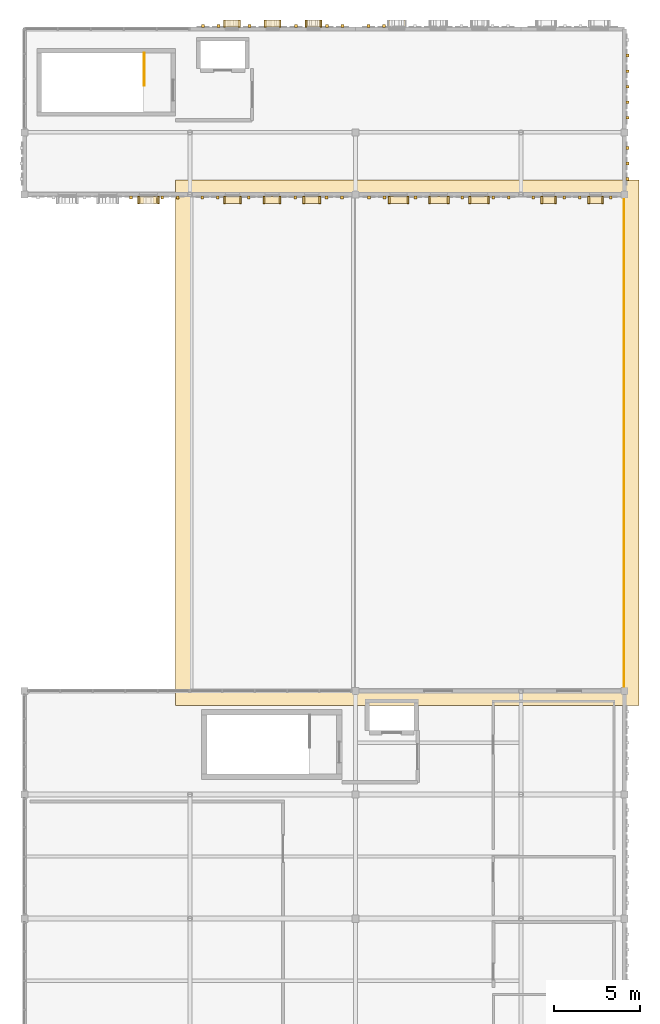
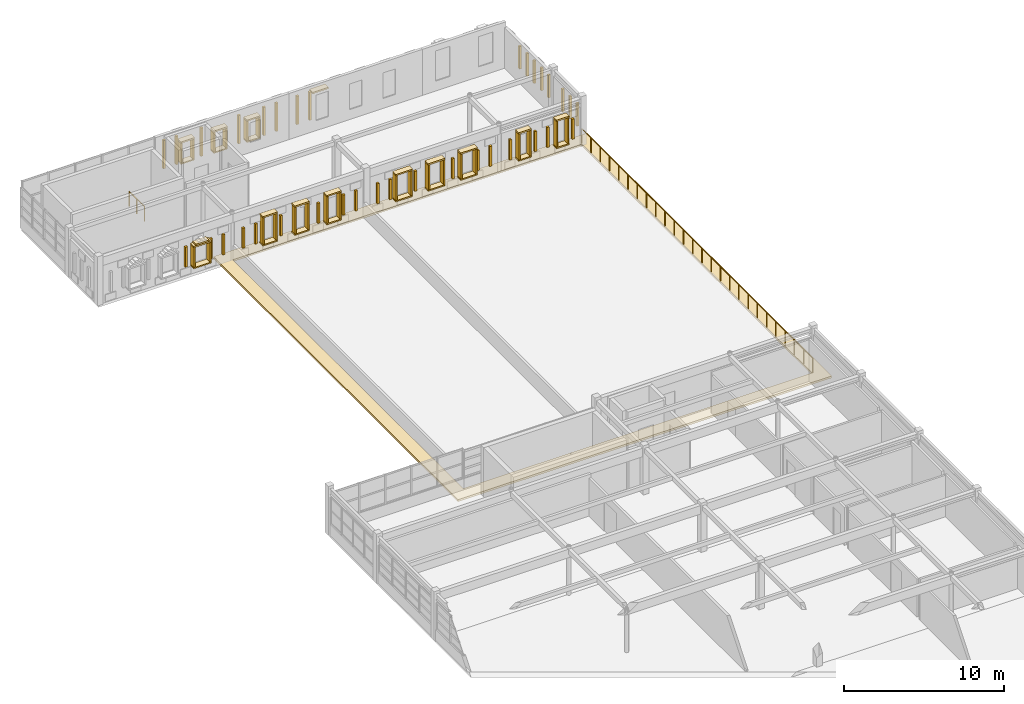
# One storey, part 22 of 25: 86 coverings, 2 railings.
"""IFC4 building model written with IfcOpenShell, lengths in metres."""

from ifc_helpers import new_model, si_unit, direction, frame, origin, origin_2d, place, context, subcontext, project, spatial, polyline, rectangle, circle, outline, extrude, material, layer, layer_set, type_object, element, save


model = new_model("IFC4")

# Units and contexts
model_context = context("Model", 3, precision=1e-05, world=origin(), true_north=direction((0.0, 1.0)))
body_context = subcontext(model_context, "Body", "Model", "MODEL_VIEW")
ifc_project = project(units=[si_unit("LENGTHUNIT", "METRE"), si_unit("AREAUNIT", "SQUARE_METRE"), si_unit("VOLUMEUNIT", "CUBIC_METRE"), si_unit("PLANEANGLEUNIT", "RADIAN"), si_unit("MASSUNIT", "GRAM", prefix="KILO")], contexts=[model_context])

# Site, building, storey
site_placement = place(None, origin())
site = spatial("IfcSite", under=ifc_project, at=site_placement, CompositionType="ELEMENT")
building_placement = place(site_placement, origin())
building = spatial("IfcBuilding", under=site, at=building_placement, Name="Nzembalo Square Collegiate School", CompositionType="ELEMENT")
storey_placement = place(building_placement, frame((0.0, 0.0, 21.080078125)))
storey = spatial("IfcBuildingStorey", under=building, at=storey_placement, Name="L05", CompositionType="ELEMENT", Elevation=21.080078125)

# Coverings
ifc_material_1 = material(Name="Glazed ochre ceramic lancet rib")
ifc_layer_1 = layer(ifc_material_1, 0.159912109375, Name="Glazed ochre ceramic lancet rib")
ifc_layer_set_1 = layer_set([ifc_layer_1], Name="Glazed ochre ceramic lancet rib")
covering_type_1 = type_object("IfcCoveringType", Name="CL02", PredefinedType="CLADDING", material=ifc_layer_set_1)
for number, where, z_axis, x_axis, name in (
    (1, (141.14990234375, 88.9775390625, 0.759765625), (0.0, 0.0, 1.0), (1.0, 0.0, 0.0), "Gothic ceramic rib CL02-X0296-0"),
    (2, (142.050048828125, 88.9775390625, 0.759765625), (0.0, 0.0, 1.0), (1.0, 0.0, 0.0), "Gothic ceramic rib CL02-X0296-1"),
    (3, (143.85009765625, 88.9775390625, 0.759765625), (0.0, 0.0, 1.0), (1.0, 0.0, 0.0), "Gothic ceramic rib CL02-X0296-3"),
    (4, (146.550048828125, 88.9775390625, 0.759765625), (0.0, 0.0, 1.0), (1.0, 0.0, 0.0), "Gothic ceramic rib CL02-X0296-6"),
    (5, (148.35009765625, 88.9775390625, 0.759765625), (0.0, 0.0, 1.0), (1.0, 0.0, 0.0), "Gothic ceramic rib CL02-X0296-8"),
    (6, (149.25, 88.9775390625, 0.759765625), (0.0, 0.0, 1.0), (1.0, 0.0, 0.0), "Gothic ceramic rib CL02-X0296-9"),
    (7, (150.75, 88.9775390625, 0.759765625), (0.0, 0.0, 1.0), (1.0, 0.0, 0.0), "Gothic ceramic rib CL02-X0297-0"),
    (8, (151.64990234375, 88.9775390625, 0.759765625), (0.0, 0.0, 1.0), (1.0, 0.0, 0.0), "Gothic ceramic rib CL02-X0297-1"),
):
    element("IfcCovering", number, at=place(storey_placement, frame(where, z_axis=z_axis, x_axis=x_axis)), inside=storey, type_object=covering_type_1, Name=name, PredefinedType="CLADDING", context=body_context, shape_type="SweptSolid", body=[
        extrude(rectangle(XDim=0.159912109375, YDim=0.159912109375, at=origin_2d()), origin(), (0.0, 0.0, 1.0), 2.154052734375),
    ])
for number, where, z_axis, x_axis, name in (
    (9, (165.777587890625, 80.10009765625, 0.759765625), (0.0, 0.0, 1.0), (1.0, 0.0, 0.0), "Gothic ceramic rib CL02-Y0299-0"),
    (10, (165.777587890625, 81.0, 0.759765625), (0.0, 0.0, 1.0), (1.0, 0.0, 0.0), "Gothic ceramic rib CL02-Y0299-1"),
    (11, (165.777587890625, 81.89990234375, 0.759765625), (0.0, 0.0, 1.0), (1.0, 0.0, 0.0), "Gothic ceramic rib CL02-Y0299-2"),
    (12, (165.777587890625, 83.656005859375, 0.759765625), (0.0, 0.0, 1.0), (1.0, 0.0, 0.0), "Gothic ceramic rib CL02-Y0300-0"),
    (13, (165.777587890625, 84.555908203125, 0.759765625), (0.0, 0.0, 1.0), (1.0, 0.0, 0.0), "Gothic ceramic rib CL02-Y0300-1"),
    (14, (165.777587890625, 85.4560546875, 0.759765625), (0.0, 0.0, 1.0), (1.0, 0.0, 0.0), "Gothic ceramic rib CL02-Y0300-2"),
    (15, (165.777587890625, 86.35595703125, 0.759765625), (0.0, 0.0, 1.0), (1.0, 0.0, 0.0), "Gothic ceramic rib CL02-Y0300-3"),
    (16, (165.777587890625, 87.256103515625, 0.759765625), (0.0, 0.0, 1.0), (1.0, 0.0, 0.0), "Gothic ceramic rib CL02-Y0300-4"),
):
    element("IfcCovering", number, at=place(storey_placement, frame(where, z_axis=z_axis, x_axis=x_axis)), inside=storey, type_object=covering_type_1, Name=name, PredefinedType="CLADDING", context=body_context, shape_type="SweptSolid", body=[
        extrude(rectangle(XDim=0.159912109375, YDim=0.159912109375, at=origin_2d()), origin(), (0.0, 0.0, 1.0), 1.72412109375),
    ])
for number, where, z_axis, x_axis, name in (
    (17, (136.98681640625, 79.0224609375, 0.759765625), (0.0, 0.0, 1.0), (1.0, 0.0, 0.0), "Gothic ceramic rib CL02-X0301-6"),
    (18, (138.78662109375, 79.0224609375, 0.759765625), (0.0, 0.0, 1.0), (1.0, 0.0, 0.0), "Gothic ceramic rib CL02-X0301-8"),
    (19, (139.686767578125, 79.0224609375, 0.759765625), (0.0, 0.0, 1.0), (1.0, 0.0, 0.0), "Gothic ceramic rib CL02-X0301-9"),
    (20, (141.11328125, 79.0224609375, 0.759765625), (0.0, 0.0, 1.0), (1.0, 0.0, 0.0), "Gothic ceramic rib CL02-X0302-0"),
    (21, (142.01318359375, 79.0224609375, 0.759765625), (0.0, 0.0, 1.0), (1.0, 0.0, 0.0), "Gothic ceramic rib CL02-X0302-1"),
    (22, (143.813232421875, 79.0224609375, 0.759765625), (0.0, 0.0, 1.0), (1.0, 0.0, 0.0), "Gothic ceramic rib CL02-X0302-3"),
    (23, (146.51318359375, 79.0224609375, 0.759765625), (0.0, 0.0, 1.0), (1.0, 0.0, 0.0), "Gothic ceramic rib CL02-X0302-6"),
    (24, (148.313232421875, 79.0224609375, 0.759765625), (0.0, 0.0, 1.0), (1.0, 0.0, 0.0), "Gothic ceramic rib CL02-X0302-8"),
    (25, (149.213134765625, 79.0224609375, 0.759765625), (0.0, 0.0, 1.0), (1.0, 0.0, 0.0), "Gothic ceramic rib CL02-X0302-9"),
    (26, (150.78662109375, 79.0224609375, 0.759765625), (0.0, 0.0, 1.0), (1.0, 0.0, 0.0), "Gothic ceramic rib CL02-X0303-0"),
    (27, (151.686767578125, 79.0224609375, 0.759765625), (0.0, 0.0, 1.0), (1.0, 0.0, 0.0), "Gothic ceramic rib CL02-X0303-1"),
    (28, (153.48681640625, 79.0224609375, 0.759765625), (0.0, 0.0, 1.0), (1.0, 0.0, 0.0), "Gothic ceramic rib CL02-X0303-3"),
    (29, (156.186767578125, 79.0224609375, 0.759765625), (0.0, 0.0, 1.0), (1.0, 0.0, 0.0), "Gothic ceramic rib CL02-X0303-6"),
    (30, (157.98681640625, 79.0224609375, 0.759765625), (0.0, 0.0, 1.0), (1.0, 0.0, 0.0), "Gothic ceramic rib CL02-X0303-8"),
    (31, (158.88671875, 79.0224609375, 0.759765625), (0.0, 0.0, 1.0), (1.0, 0.0, 0.0), "Gothic ceramic rib CL02-X0303-9"),
    (32, (160.313232421875, 79.0224609375, 0.759765625), (0.0, 0.0, 1.0), (1.0, 0.0, 0.0), "Gothic ceramic rib CL02-X0304-0"),
    (33, (162.11328125, 79.0224609375, 0.759765625), (0.0, 0.0, 1.0), (1.0, 0.0, 0.0), "Gothic ceramic rib CL02-X0304-2"),
    (34, (163.01318359375, 79.0224609375, 0.759765625), (0.0, 0.0, 1.0), (1.0, 0.0, 0.0), "Gothic ceramic rib CL02-X0304-3"),
    (35, (164.813232421875, 79.0224609375, 0.759765625), (0.0, 0.0, 1.0), (1.0, 0.0, 0.0), "Gothic ceramic rib CL02-X0304-5"),
):
    element("IfcCovering", number, at=place(storey_placement, frame(where, z_axis=z_axis, x_axis=x_axis)), inside=storey, type_object=covering_type_1, Name=name, PredefinedType="CLADDING", context=body_context, shape_type="SweptSolid", body=[
        extrude(rectangle(XDim=0.159912109375, YDim=0.159912109375, at=origin_2d()), origin(), (0.0, 0.0, 1.0), 1.533935546875),
    ])
ifc_material_2 = material(Name="Glulam GL28h overhanging eaves cornice", Category="wood")
ifc_layer_2 = layer(ifc_material_2, 0.159912109375, Name="Glulam GL28h overhanging eaves cornice")
ifc_layer_set_2 = layer_set([ifc_layer_2], Name="Glulam GL28h overhanging eaves cornice")
covering_type_2 = type_object("IfcCoveringType", Name="EV01", PredefinedType="ROOFING", material=ifc_layer_set_2)
covering_1_placement = place(storey_placement, frame((0.0, 0.0, -0.16015625)))
element("IfcCovering", 36, at=covering_1_placement, inside=storey, type_object=covering_type_2, Name="Projecting tropical roof eaves cornice EV01-07", PredefinedType="ROOFING", context=body_context, shape_type="SweptSolid", body=[
    extrude(outline(polyline([(139.550048828125, 49.550048828125), (166.449951171875, 49.550048828125), (166.449951171875, 80.050048828125), (139.550048828125, 80.050048828125), (139.550048828125, 49.550048828125)]), holes=[polyline([(140.449951171875, 50.449951171875), (165.550048828125, 50.449951171875), (165.550048828125, 79.14990234375), (140.449951171875, 79.14990234375), (140.449951171875, 50.449951171875)])]), origin(), (0.0, 0.0, 1.0), 0.150146484375),
])
ifc_material_3 = material(Name="Glazed celadon ceramic window frame")
ifc_layer_3 = layer(ifc_material_3, 0.419921875, Name="Glazed celadon ceramic window frame")
ifc_layer_set_3 = layer_set([ifc_layer_3], Name="Glazed celadon ceramic window frame")
covering_type_3 = type_object("IfcCoveringType", Name="WF01", PredefinedType="CLADDING", material=ifc_layer_set_3)
covering_2_placement = place(storey_placement, frame((142.83251953125, 89.112548828125, 2.2548828125), z_axis=(0.0, 0.0, 1.0), x_axis=(1.0, 0.0, 0.0)))
element("IfcCovering", 37, at=covering_2_placement, inside=storey, type_object=covering_type_3, Name="Deep lancet window hood WF01-1114", PredefinedType="CLADDING", context=body_context, shape_type="SweptSolid", body=[
    extrude(rectangle(XDim=0.989990234375, YDim=0.419921875, at=origin_2d()), origin(), (0.0, 0.0, 1.0), 0.110107421875),
])
covering_3_placement = place(storey_placement, frame((142.83251953125, 89.112548828125, 0.65478515625), z_axis=(0.0, 0.0, 1.0), x_axis=(1.0, 0.0, 0.0)))
element("IfcCovering", 38, at=covering_3_placement, inside=storey, type_object=covering_type_3, Name="Deep lancet window sill WF01-1114", PredefinedType="CLADDING", context=body_context, shape_type="SweptSolid", body=[
    extrude(rectangle(XDim=0.989990234375, YDim=0.419921875, at=origin_2d()), origin(), (0.0, 0.0, 1.0), 0.090087890625),
])
for number, where, z_axis, x_axis, name in (
    (39, (142.402587890625, 89.112548828125, 0.75), (0.0, 0.0, 1.0), (1.0, 0.0, 0.0), "Deep lancet window jamb WF01-1114L"),
    (40, (143.262451171875, 89.112548828125, 0.75), (0.0, 0.0, 1.0), (1.0, 0.0, 0.0), "Deep lancet window jamb WF01-1114R"),
):
    element("IfcCovering", number, at=place(storey_placement, frame(where, z_axis=z_axis, x_axis=x_axis)), inside=storey, type_object=covering_type_3, Name=name, PredefinedType="CLADDING", context=body_context, shape_type="SweptSolid", body=[
        extrude(rectangle(XDim=0.10009765625, YDim=0.419921875, at=origin_2d()), origin(), (0.0, 0.0, 1.0), 1.5),
    ])
covering_4_placement = place(storey_placement, frame((145.199951171875, 89.112548828125, 2.2548828125), z_axis=(0.0, 0.0, 1.0), x_axis=(1.0, 0.0, 0.0)))
element("IfcCovering", 41, at=covering_4_placement, inside=storey, type_object=covering_type_3, Name="Deep lancet window hood WF01-1115", PredefinedType="CLADDING", context=body_context, shape_type="SweptSolid", body=[
    extrude(rectangle(XDim=0.989990234375, YDim=0.419921875, at=origin_2d()), origin(), (0.0, 0.0, 1.0), 0.110107421875),
])
covering_5_placement = place(storey_placement, frame((145.199951171875, 89.112548828125, 0.65478515625), z_axis=(0.0, 0.0, 1.0), x_axis=(1.0, 0.0, 0.0)))
element("IfcCovering", 42, at=covering_5_placement, inside=storey, type_object=covering_type_3, Name="Deep lancet window sill WF01-1115", PredefinedType="CLADDING", context=body_context, shape_type="SweptSolid", body=[
    extrude(rectangle(XDim=0.989990234375, YDim=0.419921875, at=origin_2d()), origin(), (0.0, 0.0, 1.0), 0.090087890625),
])
for number, where, z_axis, x_axis, name in (
    (43, (144.77001953125, 89.112548828125, 0.75), (0.0, 0.0, 1.0), (1.0, 0.0, 0.0), "Deep lancet window jamb WF01-1115L"),
    (44, (145.6298828125, 89.112548828125, 0.75), (0.0, 0.0, 1.0), (1.0, 0.0, 0.0), "Deep lancet window jamb WF01-1115R"),
):
    element("IfcCovering", number, at=place(storey_placement, frame(where, z_axis=z_axis, x_axis=x_axis)), inside=storey, type_object=covering_type_3, Name=name, PredefinedType="CLADDING", context=body_context, shape_type="SweptSolid", body=[
        extrude(rectangle(XDim=0.10009765625, YDim=0.419921875, at=origin_2d()), origin(), (0.0, 0.0, 1.0), 1.5),
    ])
covering_6_placement = place(storey_placement, frame((147.5673828125, 89.112548828125, 2.2548828125), z_axis=(0.0, 0.0, 1.0), x_axis=(1.0, 0.0, 0.0)))
element("IfcCovering", 45, at=covering_6_placement, inside=storey, type_object=covering_type_3, Name="Deep lancet window hood WF01-1116", PredefinedType="CLADDING", context=body_context, shape_type="SweptSolid", body=[
    extrude(rectangle(XDim=0.989990234375, YDim=0.419921875, at=origin_2d()), origin(), (0.0, 0.0, 1.0), 0.110107421875),
])
covering_7_placement = place(storey_placement, frame((147.5673828125, 89.112548828125, 0.65478515625), z_axis=(0.0, 0.0, 1.0), x_axis=(1.0, 0.0, 0.0)))
element("IfcCovering", 46, at=covering_7_placement, inside=storey, type_object=covering_type_3, Name="Deep lancet window sill WF01-1116", PredefinedType="CLADDING", context=body_context, shape_type="SweptSolid", body=[
    extrude(rectangle(XDim=0.989990234375, YDim=0.419921875, at=origin_2d()), origin(), (0.0, 0.0, 1.0), 0.090087890625),
])
for number, where, z_axis, x_axis, name in (
    (47, (147.137451171875, 89.112548828125, 0.75), (0.0, 0.0, 1.0), (1.0, 0.0, 0.0), "Deep lancet window jamb WF01-1116L"),
    (48, (147.99755859375, 89.112548828125, 0.75), (0.0, 0.0, 1.0), (1.0, 0.0, 0.0), "Deep lancet window jamb WF01-1116R"),
):
    element("IfcCovering", number, at=place(storey_placement, frame(where, z_axis=z_axis, x_axis=x_axis)), inside=storey, type_object=covering_type_3, Name=name, PredefinedType="CLADDING", context=body_context, shape_type="SweptSolid", body=[
        extrude(rectangle(XDim=0.10009765625, YDim=0.419921875, at=origin_2d()), origin(), (0.0, 0.0, 1.0), 1.5),
    ])
covering_8_placement = place(storey_placement, frame((152.39501953125, 89.112548828125, 2.705078125), z_axis=(0.0, 0.0, 1.0), x_axis=(1.0, 0.0, 0.0)))
element("IfcCovering", 49, at=covering_8_placement, inside=storey, type_object=covering_type_3, Name="Deep lancet window hood WF01-1117", PredefinedType="CLADDING", context=body_context, shape_type="SweptSolid", body=[
    extrude(rectangle(XDim=1.139892578125, YDim=0.419921875, at=origin_2d()), origin(), (0.0, 0.0, 1.0), 0.110107421875),
])
covering_9_placement = place(storey_placement, frame((137.99169921875, 78.887451171875, 2.2548828125), z_axis=(0.0, 0.0, 1.0), x_axis=(1.0, 0.0, 0.0)))
element("IfcCovering", 50, at=covering_9_placement, inside=storey, type_object=covering_type_3, Name="Deep lancet window hood WF01-1126", PredefinedType="CLADDING", context=body_context, shape_type="SweptSolid", body=[
    extrude(rectangle(XDim=1.2900390625, YDim=0.419921875, at=origin_2d()), origin(), (0.0, 0.0, 1.0), 0.110107421875),
])
covering_10_placement = place(storey_placement, frame((137.99169921875, 78.887451171875, 2.35986328125), z_axis=(0.0, 0.0, 1.0), x_axis=(1.0, 0.0, 0.0)))
element("IfcCovering", 51, at=covering_10_placement, inside=storey, type_object=covering_type_3, Name="Pointed lancet gable WF01-1126-1", PredefinedType="CLADDING", context=body_context, shape_type="SweptSolid", body=[
    extrude(rectangle(XDim=0.949951171875, YDim=0.419921875, at=origin_2d()), origin(), (0.0, 0.0, 1.0), 0.1201171875),
])
covering_11_placement = place(storey_placement, frame((137.99169921875, 78.887451171875, 0.65478515625), z_axis=(0.0, 0.0, 1.0), x_axis=(1.0, 0.0, 0.0)))
element("IfcCovering", 52, at=covering_11_placement, inside=storey, type_object=covering_type_3, Name="Deep lancet window sill WF01-1126", PredefinedType="CLADDING", context=body_context, shape_type="SweptSolid", body=[
    extrude(rectangle(XDim=1.2900390625, YDim=0.419921875, at=origin_2d()), origin(), (0.0, 0.0, 1.0), 0.090087890625),
])
for number, where, z_axis, x_axis, name in (
    (53, (137.41162109375, 78.887451171875, 0.75), (0.0, 0.0, 1.0), (1.0, 0.0, 0.0), "Deep lancet window jamb WF01-1126L"),
    (54, (138.571533203125, 78.887451171875, 0.75), (0.0, 0.0, 1.0), (1.0, 0.0, 0.0), "Deep lancet window jamb WF01-1126R"),
):
    element("IfcCovering", number, at=place(storey_placement, frame(where, z_axis=z_axis, x_axis=x_axis)), inside=storey, type_object=covering_type_3, Name=name, PredefinedType="CLADDING", context=body_context, shape_type="SweptSolid", body=[
        extrude(rectangle(XDim=0.10009765625, YDim=0.419921875, at=origin_2d()), origin(), (0.0, 0.0, 1.0), 1.5),
    ])
covering_12_placement = place(storey_placement, frame((142.865966796875, 78.887451171875, 2.77490234375), z_axis=(0.0, 0.0, 1.0), x_axis=(1.0, 0.0, 0.0)))
element("IfcCovering", 55, at=covering_12_placement, inside=storey, type_object=covering_type_3, Name="Deep lancet window hood WF01-1147", PredefinedType="CLADDING", context=body_context, shape_type="SweptSolid", body=[
    extrude(rectangle(XDim=1.06005859375, YDim=0.419921875, at=origin_2d()), origin(), (0.0, 0.0, 1.0), 0.110107421875),
])
covering_13_placement = place(storey_placement, frame((142.865966796875, 78.887451171875, 0.65478515625), z_axis=(0.0, 0.0, 1.0), x_axis=(1.0, 0.0, 0.0)))
element("IfcCovering", 56, at=covering_13_placement, inside=storey, type_object=covering_type_3, Name="Deep lancet window sill WF01-1147", PredefinedType="CLADDING", context=body_context, shape_type="SweptSolid", body=[
    extrude(rectangle(XDim=1.06005859375, YDim=0.419921875, at=origin_2d()), origin(), (0.0, 0.0, 1.0), 0.090087890625),
])
for number, where, z_axis, x_axis, name in (
    (57, (142.40087890625, 78.887451171875, 0.75), (0.0, 0.0, 1.0), (1.0, 0.0, 0.0), "Deep lancet window jamb WF01-1147L"),
    (58, (143.330810546875, 78.887451171875, 0.75), (0.0, 0.0, 1.0), (1.0, 0.0, 0.0), "Deep lancet window jamb WF01-1147R"),
):
    element("IfcCovering", number, at=place(storey_placement, frame(where, z_axis=z_axis, x_axis=x_axis)), inside=storey, type_object=covering_type_3, Name=name, PredefinedType="CLADDING", context=body_context, shape_type="SweptSolid", body=[
        extrude(rectangle(XDim=0.10009765625, YDim=0.419921875, at=origin_2d()), origin(), (0.0, 0.0, 1.0), 2.02001953125),
    ])
covering_14_placement = place(storey_placement, frame((145.1630859375, 78.887451171875, 2.77490234375), z_axis=(0.0, 0.0, 1.0), x_axis=(1.0, 0.0, 0.0)))
element("IfcCovering", 59, at=covering_14_placement, inside=storey, type_object=covering_type_3, Name="Deep lancet window hood WF01-1148", PredefinedType="CLADDING", context=body_context, shape_type="SweptSolid", body=[
    extrude(rectangle(XDim=1.06005859375, YDim=0.419921875, at=origin_2d()), origin(), (0.0, 0.0, 1.0), 0.110107421875),
])
covering_15_placement = place(storey_placement, frame((145.1630859375, 78.887451171875, 0.65478515625), z_axis=(0.0, 0.0, 1.0), x_axis=(1.0, 0.0, 0.0)))
element("IfcCovering", 60, at=covering_15_placement, inside=storey, type_object=covering_type_3, Name="Deep lancet window sill WF01-1148", PredefinedType="CLADDING", context=body_context, shape_type="SweptSolid", body=[
    extrude(rectangle(XDim=1.06005859375, YDim=0.419921875, at=origin_2d()), origin(), (0.0, 0.0, 1.0), 0.090087890625),
])
for number, where, z_axis, x_axis, name in (
    (61, (144.6982421875, 78.887451171875, 0.75), (0.0, 0.0, 1.0), (1.0, 0.0, 0.0), "Deep lancet window jamb WF01-1148L"),
    (62, (145.628173828125, 78.887451171875, 0.75), (0.0, 0.0, 1.0), (1.0, 0.0, 0.0), "Deep lancet window jamb WF01-1148R"),
):
    element("IfcCovering", number, at=place(storey_placement, frame(where, z_axis=z_axis, x_axis=x_axis)), inside=storey, type_object=covering_type_3, Name=name, PredefinedType="CLADDING", context=body_context, shape_type="SweptSolid", body=[
        extrude(rectangle(XDim=0.10009765625, YDim=0.419921875, at=origin_2d()), origin(), (0.0, 0.0, 1.0), 2.02001953125),
    ])
covering_16_placement = place(storey_placement, frame((147.460693359375, 78.887451171875, 2.77490234375), z_axis=(0.0, 0.0, 1.0), x_axis=(1.0, 0.0, 0.0)))
element("IfcCovering", 63, at=covering_16_placement, inside=storey, type_object=covering_type_3, Name="Deep lancet window hood WF01-1149", PredefinedType="CLADDING", context=body_context, shape_type="SweptSolid", body=[
    extrude(rectangle(XDim=1.06005859375, YDim=0.419921875, at=origin_2d()), origin(), (0.0, 0.0, 1.0), 0.110107421875),
])
covering_17_placement = place(storey_placement, frame((147.460693359375, 78.887451171875, 0.65478515625), z_axis=(0.0, 0.0, 1.0), x_axis=(1.0, 0.0, 0.0)))
element("IfcCovering", 64, at=covering_17_placement, inside=storey, type_object=covering_type_3, Name="Deep lancet window sill WF01-1149", PredefinedType="CLADDING", context=body_context, shape_type="SweptSolid", body=[
    extrude(rectangle(XDim=1.06005859375, YDim=0.419921875, at=origin_2d()), origin(), (0.0, 0.0, 1.0), 0.090087890625),
])
for number, where, z_axis, x_axis, name in (
    (65, (146.99560546875, 78.887451171875, 0.75), (0.0, 0.0, 1.0), (1.0, 0.0, 0.0), "Deep lancet window jamb WF01-1149L"),
    (66, (147.925537109375, 78.887451171875, 0.75), (0.0, 0.0, 1.0), (1.0, 0.0, 0.0), "Deep lancet window jamb WF01-1149R"),
):
    element("IfcCovering", number, at=place(storey_placement, frame(where, z_axis=z_axis, x_axis=x_axis)), inside=storey, type_object=covering_type_3, Name=name, PredefinedType="CLADDING", context=body_context, shape_type="SweptSolid", body=[
        extrude(rectangle(XDim=0.10009765625, YDim=0.419921875, at=origin_2d()), origin(), (0.0, 0.0, 1.0), 2.02001953125),
    ])
covering_18_placement = place(storey_placement, frame((152.49951171875, 78.887451171875, 2.634765625), z_axis=(0.0, 0.0, 1.0), x_axis=(1.0, 0.0, 0.0)))
element("IfcCovering", 67, at=covering_18_placement, inside=storey, type_object=covering_type_3, Name="Deep lancet window hood WF01-1151", PredefinedType="CLADDING", context=body_context, shape_type="SweptSolid", body=[
    extrude(rectangle(XDim=1.219970703125, YDim=0.419921875, at=origin_2d()), origin(), (0.0, 0.0, 1.0), 0.110107421875),
])
covering_19_placement = place(storey_placement, frame((152.49951171875, 78.887451171875, 0.65478515625), z_axis=(0.0, 0.0, 1.0), x_axis=(1.0, 0.0, 0.0)))
element("IfcCovering", 68, at=covering_19_placement, inside=storey, type_object=covering_type_3, Name="Deep lancet window sill WF01-1151", PredefinedType="CLADDING", context=body_context, shape_type="SweptSolid", body=[
    extrude(rectangle(XDim=1.219970703125, YDim=0.419921875, at=origin_2d()), origin(), (0.0, 0.0, 1.0), 0.090087890625),
])
for number, where, z_axis, x_axis, name in (
    (69, (151.954345703125, 78.887451171875, 0.75), (0.0, 0.0, 1.0), (1.0, 0.0, 0.0), "Deep lancet window jamb WF01-1151L"),
    (70, (153.04443359375, 78.887451171875, 0.75), (0.0, 0.0, 1.0), (1.0, 0.0, 0.0), "Deep lancet window jamb WF01-1151R"),
):
    element("IfcCovering", number, at=place(storey_placement, frame(where, z_axis=z_axis, x_axis=x_axis)), inside=storey, type_object=covering_type_3, Name=name, PredefinedType="CLADDING", context=body_context, shape_type="SweptSolid", body=[
        extrude(rectangle(XDim=0.10009765625, YDim=0.419921875, at=origin_2d()), origin(), (0.0, 0.0, 1.0), 1.8798828125),
    ])
covering_20_placement = place(storey_placement, frame((154.836669921875, 78.887451171875, 2.634765625), z_axis=(0.0, 0.0, 1.0), x_axis=(1.0, 0.0, 0.0)))
element("IfcCovering", 71, at=covering_20_placement, inside=storey, type_object=covering_type_3, Name="Deep lancet window hood WF01-1152", PredefinedType="CLADDING", context=body_context, shape_type="SweptSolid", body=[
    extrude(rectangle(XDim=1.219970703125, YDim=0.419921875, at=origin_2d()), origin(), (0.0, 0.0, 1.0), 0.110107421875),
])
covering_21_placement = place(storey_placement, frame((154.836669921875, 78.887451171875, 0.65478515625), z_axis=(0.0, 0.0, 1.0), x_axis=(1.0, 0.0, 0.0)))
element("IfcCovering", 72, at=covering_21_placement, inside=storey, type_object=covering_type_3, Name="Deep lancet window sill WF01-1152", PredefinedType="CLADDING", context=body_context, shape_type="SweptSolid", body=[
    extrude(rectangle(XDim=1.219970703125, YDim=0.419921875, at=origin_2d()), origin(), (0.0, 0.0, 1.0), 0.090087890625),
])
for number, where, z_axis, x_axis, name in (
    (73, (154.291748046875, 78.887451171875, 0.75), (0.0, 0.0, 1.0), (1.0, 0.0, 0.0), "Deep lancet window jamb WF01-1152L"),
    (74, (155.381591796875, 78.887451171875, 0.75), (0.0, 0.0, 1.0), (1.0, 0.0, 0.0), "Deep lancet window jamb WF01-1152R"),
):
    element("IfcCovering", number, at=place(storey_placement, frame(where, z_axis=z_axis, x_axis=x_axis)), inside=storey, type_object=covering_type_3, Name=name, PredefinedType="CLADDING", context=body_context, shape_type="SweptSolid", body=[
        extrude(rectangle(XDim=0.10009765625, YDim=0.419921875, at=origin_2d()), origin(), (0.0, 0.0, 1.0), 1.8798828125),
    ])
covering_22_placement = place(storey_placement, frame((157.174072265625, 78.887451171875, 2.634765625), z_axis=(0.0, 0.0, 1.0), x_axis=(1.0, 0.0, 0.0)))
element("IfcCovering", 75, at=covering_22_placement, inside=storey, type_object=covering_type_3, Name="Deep lancet window hood WF01-1153", PredefinedType="CLADDING", context=body_context, shape_type="SweptSolid", body=[
    extrude(rectangle(XDim=1.219970703125, YDim=0.419921875, at=origin_2d()), origin(), (0.0, 0.0, 1.0), 0.110107421875),
])
covering_23_placement = place(storey_placement, frame((157.174072265625, 78.887451171875, 0.65478515625), z_axis=(0.0, 0.0, 1.0), x_axis=(1.0, 0.0, 0.0)))
element("IfcCovering", 76, at=covering_23_placement, inside=storey, type_object=covering_type_3, Name="Deep lancet window sill WF01-1153", PredefinedType="CLADDING", context=body_context, shape_type="SweptSolid", body=[
    extrude(rectangle(XDim=1.219970703125, YDim=0.419921875, at=origin_2d()), origin(), (0.0, 0.0, 1.0), 0.090087890625),
])
for number, where, z_axis, x_axis, name in (
    (77, (156.629150390625, 78.887451171875, 0.75), (0.0, 0.0, 1.0), (1.0, 0.0, 0.0), "Deep lancet window jamb WF01-1153L"),
    (78, (157.718994140625, 78.887451171875, 0.75), (0.0, 0.0, 1.0), (1.0, 0.0, 0.0), "Deep lancet window jamb WF01-1153R"),
):
    element("IfcCovering", number, at=place(storey_placement, frame(where, z_axis=z_axis, x_axis=x_axis)), inside=storey, type_object=covering_type_3, Name=name, PredefinedType="CLADDING", context=body_context, shape_type="SweptSolid", body=[
        extrude(rectangle(XDim=0.10009765625, YDim=0.419921875, at=origin_2d()), origin(), (0.0, 0.0, 1.0), 1.8798828125),
    ])
covering_24_placement = place(storey_placement, frame((161.200927734375, 78.887451171875, 2.71484375), z_axis=(0.0, 0.0, 1.0), x_axis=(1.0, 0.0, 0.0)))
element("IfcCovering", 79, at=covering_24_placement, inside=storey, type_object=covering_type_3, Name="Deep lancet window hood WF01-1169", PredefinedType="CLADDING", context=body_context, shape_type="SweptSolid", body=[
    extrude(rectangle(XDim=0.919921875, YDim=0.419921875, at=origin_2d()), origin(), (0.0, 0.0, 1.0), 0.110107421875),
])
covering_25_placement = place(storey_placement, frame((161.200927734375, 78.887451171875, 0.65478515625), z_axis=(0.0, 0.0, 1.0), x_axis=(1.0, 0.0, 0.0)))
element("IfcCovering", 80, at=covering_25_placement, inside=storey, type_object=covering_type_3, Name="Deep lancet window sill WF01-1169", PredefinedType="CLADDING", context=body_context, shape_type="SweptSolid", body=[
    extrude(rectangle(XDim=0.919921875, YDim=0.419921875, at=origin_2d()), origin(), (0.0, 0.0, 1.0), 0.090087890625),
])
for number, where, z_axis, x_axis, name in (
    (81, (160.805908203125, 78.887451171875, 0.75), (0.0, 0.0, 1.0), (1.0, 0.0, 0.0), "Deep lancet window jamb WF01-1169L"),
    (82, (161.595947265625, 78.887451171875, 0.75), (0.0, 0.0, 1.0), (1.0, 0.0, 0.0), "Deep lancet window jamb WF01-1169R"),
):
    element("IfcCovering", number, at=place(storey_placement, frame(where, z_axis=z_axis, x_axis=x_axis)), inside=storey, type_object=covering_type_3, Name=name, PredefinedType="CLADDING", context=body_context, shape_type="SweptSolid", body=[
        extrude(rectangle(XDim=0.10009765625, YDim=0.419921875, at=origin_2d()), origin(), (0.0, 0.0, 1.0), 1.9599609375),
    ])
covering_26_placement = place(storey_placement, frame((163.925537109375, 78.887451171875, 2.71484375), z_axis=(0.0, 0.0, 1.0), x_axis=(1.0, 0.0, 0.0)))
element("IfcCovering", 83, at=covering_26_placement, inside=storey, type_object=covering_type_3, Name="Deep lancet window hood WF01-1170", PredefinedType="CLADDING", context=body_context, shape_type="SweptSolid", body=[
    extrude(rectangle(XDim=0.919921875, YDim=0.419921875, at=origin_2d()), origin(), (0.0, 0.0, 1.0), 0.110107421875),
])
covering_27_placement = place(storey_placement, frame((163.925537109375, 78.887451171875, 0.65478515625), z_axis=(0.0, 0.0, 1.0), x_axis=(1.0, 0.0, 0.0)))
element("IfcCovering", 84, at=covering_27_placement, inside=storey, type_object=covering_type_3, Name="Deep lancet window sill WF01-1170", PredefinedType="CLADDING", context=body_context, shape_type="SweptSolid", body=[
    extrude(rectangle(XDim=0.919921875, YDim=0.419921875, at=origin_2d()), origin(), (0.0, 0.0, 1.0), 0.090087890625),
])
for number, where, z_axis, x_axis, name in (
    (85, (163.530517578125, 78.887451171875, 0.75), (0.0, 0.0, 1.0), (1.0, 0.0, 0.0), "Deep lancet window jamb WF01-1170L"),
    (86, (164.320556640625, 78.887451171875, 0.75), (0.0, 0.0, 1.0), (1.0, 0.0, 0.0), "Deep lancet window jamb WF01-1170R"),
):
    element("IfcCovering", number, at=place(storey_placement, frame(where, z_axis=z_axis, x_axis=x_axis)), inside=storey, type_object=covering_type_3, Name=name, PredefinedType="CLADDING", context=body_context, shape_type="SweptSolid", body=[
        extrude(rectangle(XDim=0.10009765625, YDim=0.419921875, at=origin_2d()), origin(), (0.0, 0.0, 1.0), 1.9599609375),
    ])

# Railings
ifc_material_4 = material(Name="Steel S355", Category="steel")
railing_type_1 = type_object("IfcRailingType", Name="BL01", PredefinedType="BALUSTRADE", material=ifc_material_4)
railing_1_placement = place(storey_placement, frame((165.580078125, 50.39990234375, 0.0)))
element("IfcRailing", 87, at=railing_1_placement, inside=storey, type_object=railing_type_1, Name="Terrace balustrade BL-09A", PredefinedType="BALUSTRADE", context=body_context, shape_type="SweptSolid", body=[
    extrude(circle(Radius=0.02392578125, at=origin_2d()), frame((0.0, 0.0, 1.1259765625), z_axis=(0.0, 1.0, 0.0), x_axis=(-1.0, 0.0, 0.0)), (0.0, 0.0, 1.0), 28.800048828125),
    extrude(circle(Radius=0.02099609375, at=origin_2d()), origin(), (0.0, 0.0, 1.0), 1.101806640625),
    extrude(circle(Radius=0.02099609375, at=origin_2d()), frame((0.0, 1.152099609375, 0.0)), (0.0, 0.0, 1.0), 1.101806640625),
    extrude(circle(Radius=0.02099609375, at=origin_2d()), frame((0.0, 2.303955078125, 0.0)), (0.0, 0.0, 1.0), 1.101806640625),
    extrude(circle(Radius=0.02099609375, at=origin_2d()), frame((0.0, 3.4560546875, 0.0)), (0.0, 0.0, 1.0), 1.101806640625),
    extrude(circle(Radius=0.02099609375, at=origin_2d()), frame((0.0, 4.60791015625, 0.0)), (0.0, 0.0, 1.0), 1.101806640625),
    extrude(circle(Radius=0.02099609375, at=origin_2d()), frame((0.0, 5.760009765625, 0.0)), (0.0, 0.0, 1.0), 1.101806640625),
    extrude(circle(Radius=0.02099609375, at=origin_2d()), frame((0.0, 6.912109375, 0.0)), (0.0, 0.0, 1.0), 1.101806640625),
    extrude(circle(Radius=0.02099609375, at=origin_2d()), frame((0.0, 8.06396484375, 0.0)), (0.0, 0.0, 1.0), 1.101806640625),
    extrude(circle(Radius=0.02099609375, at=origin_2d()), frame((0.0, 9.216064453125, 0.0)), (0.0, 0.0, 1.0), 1.101806640625),
    extrude(circle(Radius=0.02099609375, at=origin_2d()), frame((0.0, 10.367919921875, 0.0)), (0.0, 0.0, 1.0), 1.101806640625),
    extrude(circle(Radius=0.02099609375, at=origin_2d()), frame((0.0, 11.52001953125, 0.0)), (0.0, 0.0, 1.0), 1.101806640625),
    extrude(circle(Radius=0.02099609375, at=origin_2d()), frame((0.0, 12.672119140625, 0.0)), (0.0, 0.0, 1.0), 1.101806640625),
    extrude(circle(Radius=0.02099609375, at=origin_2d()), frame((0.0, 13.823974609375, 0.0)), (0.0, 0.0, 1.0), 1.101806640625),
    extrude(circle(Radius=0.02099609375, at=origin_2d()), frame((0.0, 14.97607421875, 0.0)), (0.0, 0.0, 1.0), 1.101806640625),
    extrude(circle(Radius=0.02099609375, at=origin_2d()), frame((0.0, 16.1279296875, 0.0)), (0.0, 0.0, 1.0), 1.101806640625),
    extrude(circle(Radius=0.02099609375, at=origin_2d()), frame((0.0, 17.280029296875, 0.0)), (0.0, 0.0, 1.0), 1.101806640625),
    extrude(circle(Radius=0.02099609375, at=origin_2d()), frame((0.0, 18.43212890625, 0.0)), (0.0, 0.0, 1.0), 1.101806640625),
    extrude(circle(Radius=0.02099609375, at=origin_2d()), frame((0.0, 19.583984375, 0.0)), (0.0, 0.0, 1.0), 1.101806640625),
    extrude(circle(Radius=0.02099609375, at=origin_2d()), frame((0.0, 20.736083984375, 0.0)), (0.0, 0.0, 1.0), 1.101806640625),
    extrude(circle(Radius=0.02099609375, at=origin_2d()), frame((0.0, 21.887939453125, 0.0)), (0.0, 0.0, 1.0), 1.101806640625),
    extrude(circle(Radius=0.02099609375, at=origin_2d()), frame((0.0, 23.0400390625, 0.0)), (0.0, 0.0, 1.0), 1.101806640625),
    extrude(circle(Radius=0.02099609375, at=origin_2d()), frame((0.0, 24.192138671875, 0.0)), (0.0, 0.0, 1.0), 1.101806640625),
    extrude(circle(Radius=0.02099609375, at=origin_2d()), frame((0.0, 25.343994140625, 0.0)), (0.0, 0.0, 1.0), 1.101806640625),
    extrude(circle(Radius=0.02099609375, at=origin_2d()), frame((0.0, 26.49609375, 0.0)), (0.0, 0.0, 1.0), 1.101806640625),
    extrude(circle(Radius=0.02099609375, at=origin_2d()), frame((0.0, 27.64794921875, 0.0)), (0.0, 0.0, 1.0), 1.101806640625),
    extrude(circle(Radius=0.02099609375, at=origin_2d()), frame((0.0, 28.800048828125, 0.0)), (0.0, 0.0, 1.0), 1.101806640625),
])
ifc_material_5 = material(Name="Steel S355", Category="steel")
railing_type_2 = type_object("IfcRailingType", Name="GR01", PredefinedType="GUARDRAIL", material=ifc_material_5)
railing_2_placement = place(storey_placement, frame((137.75, 85.52001953125, -0.005126953125)))
element("IfcRailing", 88, at=railing_2_placement, inside=storey, type_object=railing_type_2, Name="Top stairwell guard GR-C4-T1", PredefinedType="GUARDRAIL", context=body_context, shape_type="SweptSolid", body=[
    extrude(circle(Radius=0.02392578125, at=origin_2d()), frame((0.0, 0.0, 1.1259765625), z_axis=(0.0, 1.0, 0.0), x_axis=(-1.0, 0.0, 0.0)), (0.0, 0.0, 1.0), 1.889892578125),
    extrude(circle(Radius=0.02099609375, at=origin_2d()), origin(), (0.0, 0.0, 1.0), 1.101806640625),
    extrude(circle(Radius=0.02099609375, at=origin_2d()), frame((0.0, 0.94482421875, 0.0)), (0.0, 0.0, 1.0), 1.101806640625),
    extrude(circle(Radius=0.02099609375, at=origin_2d()), frame((0.0, 1.889892578125, 0.0)), (0.0, 0.0, 1.0), 1.101806640625),
])

save(model, "model.ifc")
